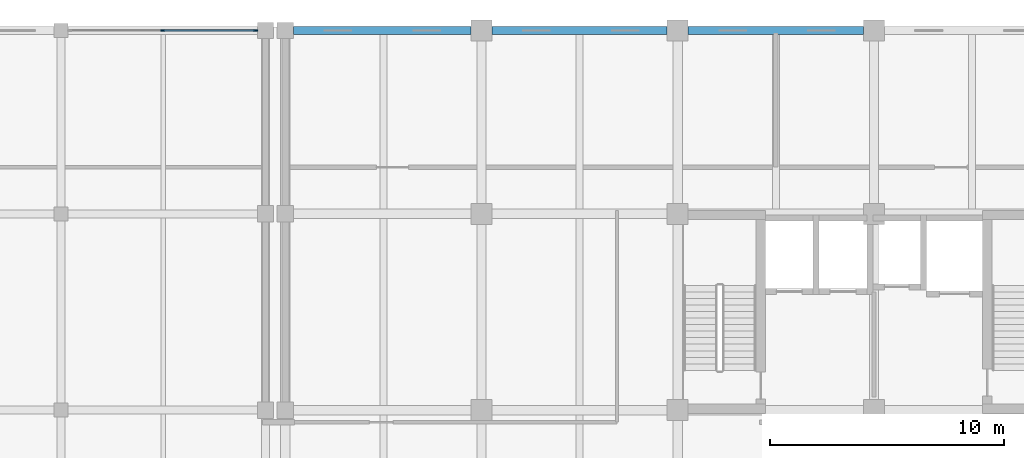
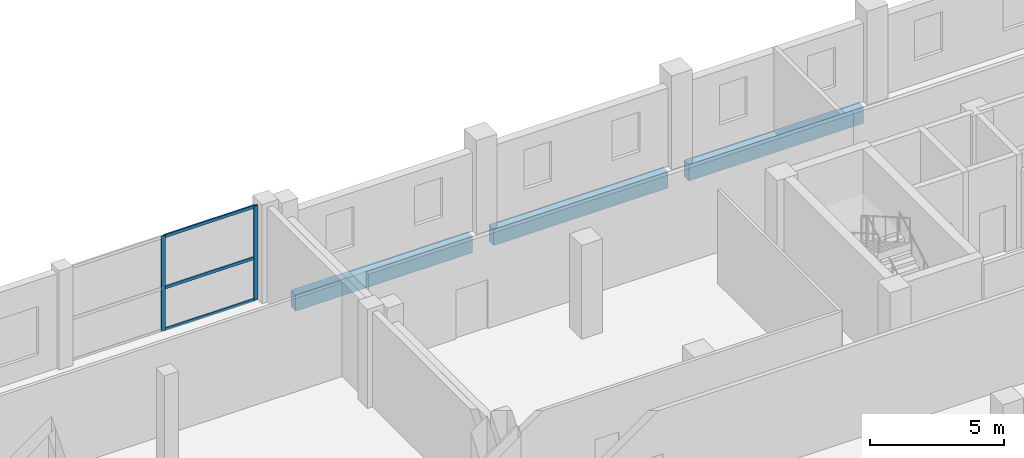
# One storey, part 11 of 18: 5 members, 3 beams, 1 element without a shape of its own.
"""IFC4 building model written with IfcOpenShell, lengths in metres."""

from ifc_helpers import new_model, si_unit, direction, frame, origin, origin_2d, place, context, subcontext, project, spatial, rectangle, extrude, material, material_profile, profile_set, type_object, element, aggregate, save


model = new_model("IFC4")

# Units and contexts
model_context = context("Model", 3, precision=1e-05, world=origin(), true_north=direction((0.0, 1.0)))
body_context = subcontext(model_context, "Body", "Model", "MODEL_VIEW")
ifc_project = project(units=[si_unit("LENGTHUNIT", "METRE"), si_unit("AREAUNIT", "SQUARE_METRE"), si_unit("VOLUMEUNIT", "CUBIC_METRE"), si_unit("PLANEANGLEUNIT", "RADIAN"), si_unit("MASSUNIT", "GRAM", prefix="KILO")], contexts=[model_context])

# Site, building, storey
site_placement = place(None, origin())
site = spatial("IfcSite", under=ifc_project, at=site_placement, CompositionType="ELEMENT")
building_placement = place(site_placement, origin())
building = spatial("IfcBuilding", under=site, at=building_placement, Name="Brinegate Botanical Conservatory", CompositionType="ELEMENT")
storey_placement = place(building_placement, frame((0.0, 0.0, 14.699951171875)))
storey = spatial("IfcBuildingStorey", under=building, at=storey_placement, Name="L04", CompositionType="ELEMENT", Elevation=14.699951171875)

# Beams
ifc_material_1 = material(Name="Concrete C40/50", Category="concrete")
ifc_material_profile_1 = material_profile(ifc_material_1, rectangle(XDim=0.35009765625, YDim=0.75, at=origin_2d()), Name="RC SPN 350x750")
ifc_profile_set_1 = profile_set([ifc_material_profile_1], Name="Concrete C40/50")
beam_type = type_object("IfcBeamType", Name="Beam_SP-01", PredefinedType="SPANDREL", material=ifc_profile_set_1)
beam_placement = place(storey_placement, frame((122.35009765625, 111.449951171875, -0.614990234375), z_axis=(1.0, 0.0, 0.0), x_axis=(0.0, 1.0, 0.0)))
element("IfcBeam", 1, at=beam_placement, inside=storey, type_object=beam_type, Name="Beam SP-01 L04 P:16-17", PredefinedType="SPANDREL", context=body_context, shape_type="SweptSolid", body=[
    extrude(rectangle(XDim=0.35009765625, YDim=0.75, at=origin_2d()), origin(), (0.0, 0.0, 1.0), 7.599853515625),
])
for number, where, z_axis, x_axis, name in (
    (2, (130.85009765625, 111.449951171875, -0.614990234375), (1.0, 0.0, 0.0), (0.0, 1.0, 0.0), "Beam SP-01 L04 P:17-18"),
    (3, (139.25, 111.449951171875, -0.614990234375), (1.0, 0.0, 0.0), (0.0, 1.0, 0.0), "Beam SP-01 L04 P:18-19"),
):
    element("IfcBeam", number, at=place(storey_placement, frame(where, z_axis=z_axis, x_axis=x_axis)), inside=storey, type_object=beam_type, Name=name, PredefinedType="SPANDREL", context=body_context, shape_type="SweptSolid", body=[
        extrude(rectangle(XDim=0.35009765625, YDim=0.75, at=origin_2d()), origin(), (0.0, 0.0, 1.0), 7.5),
    ])

# Curtain wall, members
ifc_material_2 = material(Name="Thermally broken anodised aluminium AW-6063-T6", Category="aluminium")
curtain_wall_type = type_object("IfcCurtainWallType", Name="CW_CW-V3", PredefinedType="USERDEFINED", material=ifc_material_2)
curtain_wall_placement = place(storey_placement, origin())
curtain_wall = element("IfcCurtainWall", 4, at=curtain_wall_placement, inside=storey, type_object=curtain_wall_type, Name="Visitor north factory curtain wall L04.8", ObjectType="FACTORY CURTAIN WALL", PredefinedType="USERDEFINED")
ifc_material_profile_2 = material_profile(ifc_material_2, rectangle(XDim=0.06494140625, YDim=0.179931640625, at=origin_2d()), Name="ALUM MULLION 65x180")
ifc_profile_set_2 = profile_set([ifc_material_profile_2], Name="Thermally broken anodised aluminium AW-6063-T6")
member_type_1 = type_object("IfcMemberType", Name="Member_ML-02", PredefinedType="MULLION", material=ifc_profile_set_2)
member_1_placement = place(storey_placement, frame((116.75, 111.449951171875, 0.0), z_axis=(0.0, 0.0, 1.0), x_axis=(0.0, 1.0, 0.0)))
member_1 = element("IfcMember", 5, at=member_1_placement, type_object=member_type_1, Name="CW-V3 mullion 2", PredefinedType="MULLION", context=body_context, shape_type="SweptSolid", body=[
    extrude(rectangle(XDim=0.06494140625, YDim=0.179931640625, at=origin_2d()), origin(), (0.0, 0.0, 1.0), 4.300048828125),
])
member_2_placement = place(storey_placement, frame((120.7275390625, 111.449951171875, 0.0), z_axis=(0.0, 0.0, 1.0), x_axis=(0.0, 1.0, 0.0)))
member_2 = element("IfcMember", 6, at=member_2_placement, type_object=member_type_1, Name="CW-V3 mullion 3", PredefinedType="MULLION", context=body_context, shape_type="SweptSolid", body=[
    extrude(rectangle(XDim=0.06494140625, YDim=0.179931640625, at=origin_2d()), origin(), (0.0, 0.0, 1.0), 4.300048828125),
])
ifc_material_profile_3 = material_profile(ifc_material_2, rectangle(XDim=0.06494140625, YDim=0.135009765625, at=origin_2d()), Name="ALUM TRANSOM 65x135")
ifc_profile_set_3 = profile_set([ifc_material_profile_3], Name="Thermally broken anodised aluminium AW-6063-T6")
member_type_2 = type_object("IfcMemberType", Name="Member_TR-02", PredefinedType="USERDEFINED", material=ifc_profile_set_3)
member_3_placement = place(storey_placement, frame((116.782470703125, 111.449951171875, 0.032470703125), z_axis=(1.0, 0.0, 0.0), x_axis=(0.0, 1.0, 0.0)))
member_3 = element("IfcMember", 7, at=member_3_placement, type_object=member_type_2, Name="CW-V3 transom 2.1", ObjectType="TRANSOM", PredefinedType="USERDEFINED", context=body_context, shape_type="SweptSolid", body=[
    extrude(rectangle(XDim=0.06494140625, YDim=0.135009765625, at=origin_2d()), origin(), (0.0, 0.0, 1.0), 3.91259765625),
])
member_4_placement = place(storey_placement, frame((116.782470703125, 111.449951171875, 1.93505859375), z_axis=(1.0, 0.0, 0.0), x_axis=(0.0, 1.0, 0.0)))
member_4 = element("IfcMember", 8, at=member_4_placement, type_object=member_type_2, Name="CW-V3 transom 2.2", ObjectType="TRANSOM", PredefinedType="USERDEFINED", context=body_context, shape_type="SweptSolid", body=[
    extrude(rectangle(XDim=0.06494140625, YDim=0.135009765625, at=origin_2d()), origin(), (0.0, 0.0, 1.0), 3.91259765625),
])
member_5_placement = place(storey_placement, frame((116.782470703125, 111.449951171875, 4.267578125), z_axis=(1.0, 0.0, 0.0), x_axis=(0.0, 1.0, 0.0)))
member_5 = element("IfcMember", 9, at=member_5_placement, type_object=member_type_2, Name="CW-V3 transom 2.3", ObjectType="TRANSOM", PredefinedType="USERDEFINED", context=body_context, shape_type="SweptSolid", body=[
    extrude(rectangle(XDim=0.06494140625, YDim=0.135009765625, at=origin_2d()), origin(), (0.0, 0.0, 1.0), 3.91259765625),
])
aggregate(curtain_wall, [member_1, member_2, member_3, member_4, member_5])

save(model, "model.ifc")
